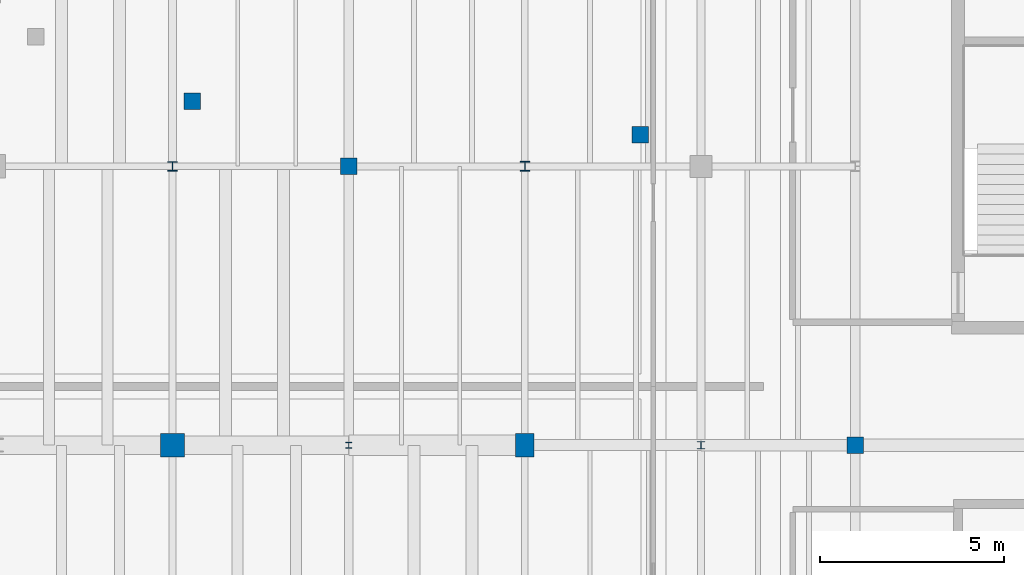
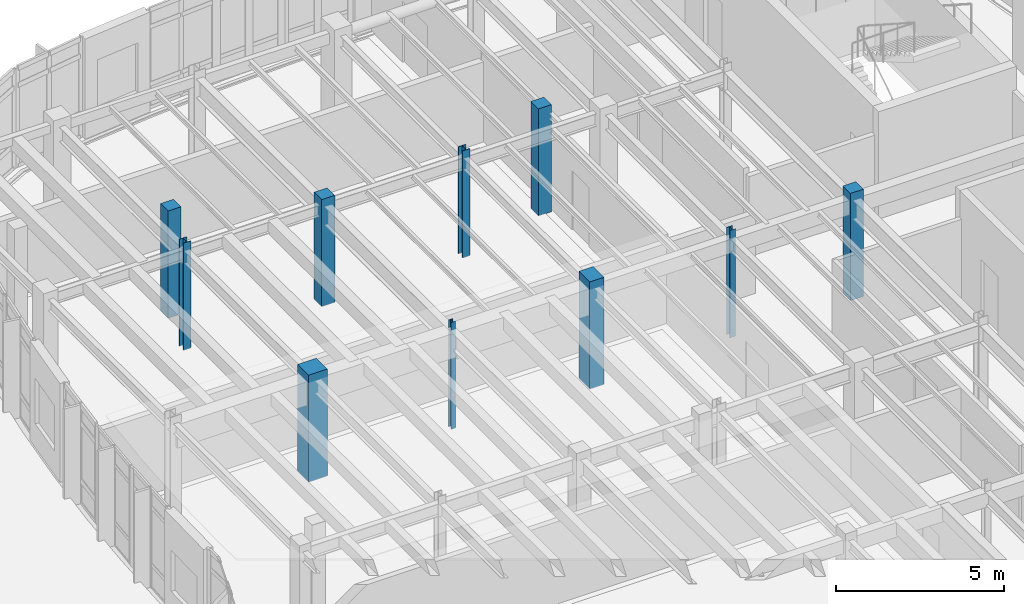
# One storey, part 14 of 111: 10 columns.
"""IFC4 building model written with IfcOpenShell, lengths in metres."""

from ifc_helpers import new_model, si_unit, direction, frame, origin, origin_2d, place, context, subcontext, project, spatial, rectangle, i_section, extrude, material, material_profile, profile_set, type_object, element, save


model = new_model("IFC4")

# Units and contexts
model_context = context("Model", 3, precision=1e-05, world=origin(), true_north=direction((0.0, 1.0)))
body_context = subcontext(model_context, "Body", "Model", "MODEL_VIEW")
ifc_project = project(units=[si_unit("LENGTHUNIT", "METRE"), si_unit("AREAUNIT", "SQUARE_METRE"), si_unit("VOLUMEUNIT", "CUBIC_METRE"), si_unit("PLANEANGLEUNIT", "RADIAN"), si_unit("MASSUNIT", "GRAM", prefix="KILO")], contexts=[model_context])

# Site, building, storey
site_placement = place(None, origin())
site = spatial("IfcSite", under=ifc_project, at=site_placement, CompositionType="ELEMENT")
building_placement = place(site_placement, origin())
building = spatial("IfcBuilding", under=site, at=building_placement, Name="Corveleigh Park Community Centre", CompositionType="ELEMENT")
storey_placement = place(building_placement, frame((0.0, 0.0, 4.800048828125)))
storey = spatial("IfcBuildingStorey", under=building, at=storey_placement, Name="L01", CompositionType="ELEMENT", Elevation=4.800048828125)

# Columns
ifc_material_1 = material(Name="Concrete C40/50", Category="concrete")
ifc_material_profile_1 = material_profile(ifc_material_1, rectangle(XDim=0.449951171875, YDim=0.449951171875, at=origin_2d()), Name="RC-450x450", Category="concrete")
ifc_profile_set_1 = profile_set([ifc_material_profile_1], Name="Concrete C40/50")
column_type_1 = type_object("IfcColumnType", Name="COL-RC-450x450", PredefinedType="COLUMN", material=ifc_profile_set_1)
for number, where, z_axis, x_axis, name in (
    (1, (144.199951171875, 96.60009765625, 0.0), (0.0, 0.0, 1.0), (1.0, 0.0, 0.0), "Column V4-X3Y5 L01"),
    (2, (158.0, 89.0, 0.0), (0.0, 0.0, 1.0), (1.0, 0.0, 0.0), "Column V4-X6Y4 L01"),
    (3, (139.94091796875, 98.3759765625, 0.0), (0.0, 0.0, 1.0), (1.0, 0.0, 0.0), "External deck support pier 136 L01"),
    (4, (152.14697265625, 97.4560546875, 0.0), (0.0, 0.0, 1.0), (1.0, 0.0, 0.0), "External deck support pier 140 L01"),
):
    element("IfcColumn", number, at=place(storey_placement, frame(where, z_axis=z_axis, x_axis=x_axis)), inside=storey, type_object=column_type_1, Name=name, PredefinedType="COLUMN", context=body_context, shape_type="SweptSolid", body=[
        extrude(rectangle(XDim=0.449951171875, YDim=0.449951171875, at=origin_2d()), origin(), (0.0, 0.0, 1.0), 3.89990234375),
    ])
ifc_material_profile_2 = material_profile(ifc_material_1, rectangle(XDim=0.5, YDim=0.64990234375, at=origin_2d()), Name="RC-500x650", Category="concrete")
ifc_profile_set_2 = profile_set([ifc_material_profile_2], Name="Concrete C40/50")
column_type_2 = type_object("IfcColumnType", Name="COL-RC-500x650", PredefinedType="COLUMN", material=ifc_profile_set_2)
column_1_placement = place(storey_placement, frame((149.0, 89.0, 0.0), z_axis=(0.0, 0.0, 1.0), x_axis=(1.0, 0.0, 0.0)))
element("IfcColumn", 5, at=column_1_placement, inside=storey, type_object=column_type_2, Name="Column V4-X4Y4 L01", PredefinedType="COLUMN", context=body_context, shape_type="SweptSolid", body=[
    extrude(rectangle(XDim=0.5, YDim=0.64990234375, at=origin_2d()), origin(), (0.0, 0.0, 1.0), 3.89990234375),
])
ifc_material_profile_3 = material_profile(ifc_material_1, rectangle(XDim=0.64990234375, YDim=0.64990234375, at=origin_2d()), Name="RC-650x650", Category="concrete")
ifc_profile_set_3 = profile_set([ifc_material_profile_3], Name="Concrete C40/50")
column_type_3 = type_object("IfcColumnType", Name="COL-RC-650x650", PredefinedType="COLUMN", material=ifc_profile_set_3)
column_2_placement = place(storey_placement, frame((139.39990234375, 89.0, 0.0), z_axis=(0.0, 0.0, 1.0), x_axis=(1.0, 0.0, 0.0)))
element("IfcColumn", 6, at=column_2_placement, inside=storey, type_object=column_type_3, Name="Column V4-X2Y4 L01", PredefinedType="COLUMN", context=body_context, shape_type="SweptSolid", body=[
    extrude(rectangle(XDim=0.64990234375, YDim=0.64990234375, at=origin_2d()), origin(), (0.0, 0.0, 1.0), 3.89990234375),
])
ifc_material_2 = material(Name="Steel S355", Category="steel")
ifc_material_profile_4 = material_profile(ifc_material_2, i_section(OverallWidth=0.154296875, OverallDepth=0.161865234375, WebThickness=0.008056640625, FlangeThickness=0.011474609375, at=origin_2d()), Name="UKC 152x152x37", Category="steel")
ifc_profile_set_4 = profile_set([ifc_material_profile_4], Name="Steel S355")
column_type_4 = type_object("IfcColumnType", Name="COL-STL-UKC152x37", PredefinedType="COLUMN", material=ifc_profile_set_4)
column_3_placement = place(storey_placement, frame((144.199951171875, 89.0, 0.0), z_axis=(0.0, 0.0, 1.0), x_axis=(1.0, 0.0, 0.0)))
element("IfcColumn", 7, at=column_3_placement, inside=storey, type_object=column_type_4, Name="Column V4-X3Y4 L01", PredefinedType="COLUMN", context=body_context, shape_type="SweptSolid", body=[
    extrude(i_section(OverallWidth=0.154296875, OverallDepth=0.161865234375, WebThickness=0.008056640625, FlangeThickness=0.011474609375, at=origin_2d()), origin(), (0.0, 0.0, 1.0), 3.89990234375),
])
ifc_material_profile_5 = material_profile(ifc_material_2, i_section(OverallWidth=0.20361328125, OverallDepth=0.203125, WebThickness=0.007080078125, FlangeThickness=0.010986328125, at=origin_2d()), Name="UKC 203x203x46", Category="steel")
ifc_profile_set_5 = profile_set([ifc_material_profile_5], Name="Steel S355")
column_type_5 = type_object("IfcColumnType", Name="COL-STL-UKC203x46", PredefinedType="COLUMN", material=ifc_profile_set_5)
column_4_placement = place(storey_placement, frame((153.800048828125, 89.0, 0.0), z_axis=(0.0, 0.0, 1.0), x_axis=(1.0, 0.0, 0.0)))
element("IfcColumn", 8, at=column_4_placement, inside=storey, type_object=column_type_5, Name="Column V4-X5Y4 L01", PredefinedType="COLUMN", context=body_context, shape_type="SweptSolid", body=[
    extrude(i_section(OverallWidth=0.20361328125, OverallDepth=0.203125, WebThickness=0.007080078125, FlangeThickness=0.010986328125, at=origin_2d()), origin(), (0.0, 0.0, 1.0), 3.89990234375),
])
ifc_material_profile_6 = material_profile(ifc_material_2, i_section(OverallWidth=0.2587890625, OverallDepth=0.2666015625, WebThickness=0.0126953125, FlangeThickness=0.0205078125, at=origin_2d()), Name="UKC 254x254x107", Category="steel")
ifc_profile_set_6 = profile_set([ifc_material_profile_6], Name="Steel S355")
column_type_6 = type_object("IfcColumnType", Name="COL-STL-UKC254x107", PredefinedType="COLUMN", material=ifc_profile_set_6)
column_5_placement = place(storey_placement, frame((149.0, 96.60009765625, 0.0), z_axis=(0.0, 0.0, 1.0), x_axis=(1.0, 0.0, 0.0)))
element("IfcColumn", 9, at=column_5_placement, inside=storey, type_object=column_type_6, Name="Column V4-X4Y5 L01", PredefinedType="COLUMN", context=body_context, shape_type="SweptSolid", body=[
    extrude(i_section(OverallWidth=0.2587890625, OverallDepth=0.2666015625, WebThickness=0.0126953125, FlangeThickness=0.0205078125, at=origin_2d()), origin(), (0.0, 0.0, 1.0), 3.89990234375),
])
ifc_material_profile_7 = material_profile(ifc_material_2, i_section(OverallWidth=0.25634765625, OverallDepth=0.26025390625, WebThickness=0.01025390625, FlangeThickness=0.017333984375, at=origin_2d()), Name="UKC 254x254x89", Category="steel")
ifc_profile_set_7 = profile_set([ifc_material_profile_7], Name="Steel S355")
column_type_7 = type_object("IfcColumnType", Name="COL-STL-UKC254x89", PredefinedType="COLUMN", material=ifc_profile_set_7)
column_6_placement = place(storey_placement, frame((139.39990234375, 96.60009765625, 0.0), z_axis=(0.0, 0.0, 1.0), x_axis=(1.0, 0.0, 0.0)))
element("IfcColumn", 10, at=column_6_placement, inside=storey, type_object=column_type_7, Name="Column V4-X2Y5 L01", PredefinedType="COLUMN", context=body_context, shape_type="SweptSolid", body=[
    extrude(i_section(OverallWidth=0.25634765625, OverallDepth=0.26025390625, WebThickness=0.01025390625, FlangeThickness=0.017333984375, at=origin_2d()), origin(), (0.0, 0.0, 1.0), 3.89990234375),
])

save(model, "model.ifc")
